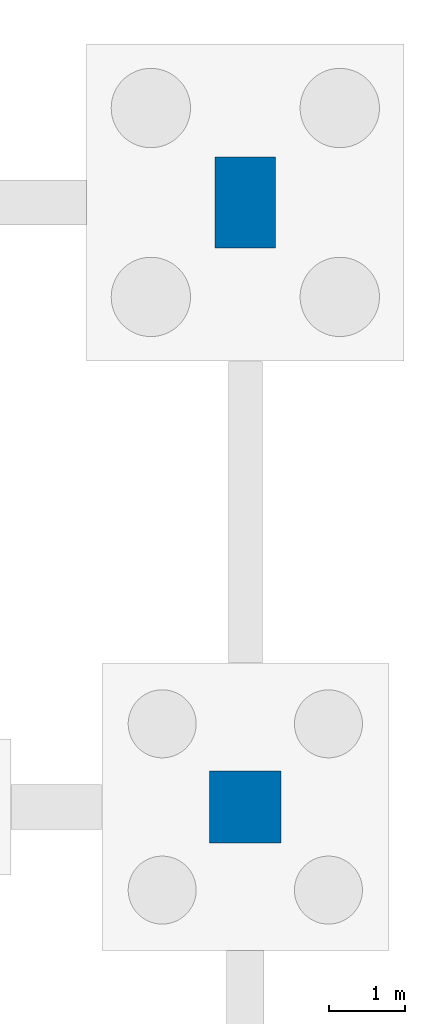
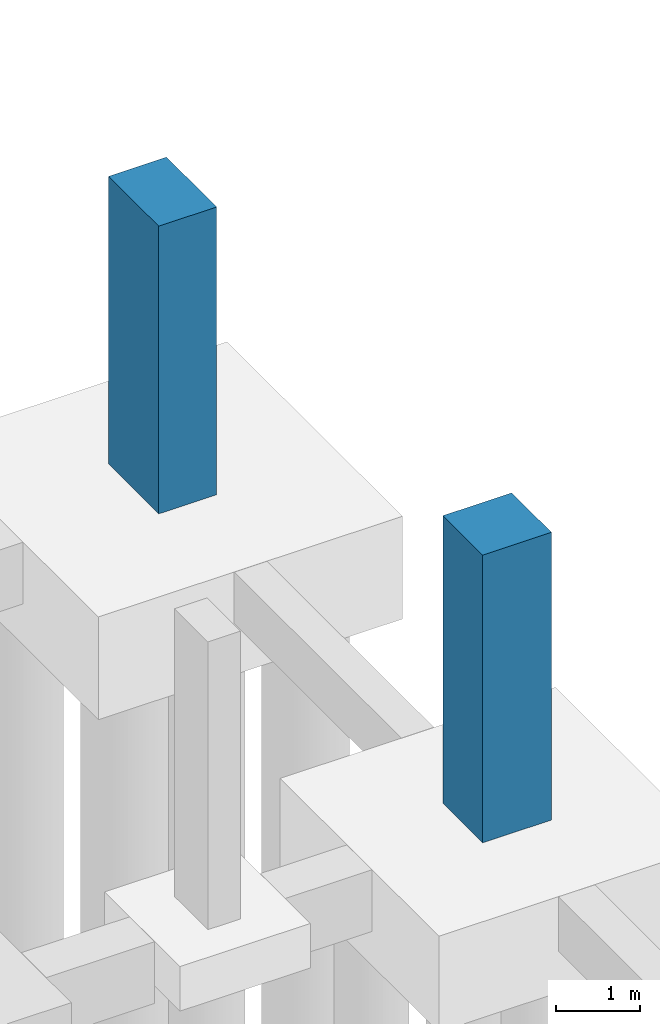
# One storey, part 19 of 32: 2 columns.
"""IFC4 building model written with IfcOpenShell, lengths in metres."""

from ifc_helpers import new_model, si_unit, direction, frame, origin, origin_2d, place, context, subcontext, project, spatial, rectangle, extrude, material, material_profile, profile_set, type_object, element, save


model = new_model("IFC4")

# Units and contexts
model_context = context("Model", 3, precision=1e-05, world=origin(), true_north=direction((0.0, 1.0)))
body_context = subcontext(model_context, "Body", "Model", "MODEL_VIEW")
ifc_project = project(units=[si_unit("LENGTHUNIT", "METRE"), si_unit("AREAUNIT", "SQUARE_METRE"), si_unit("VOLUMEUNIT", "CUBIC_METRE"), si_unit("PLANEANGLEUNIT", "RADIAN"), si_unit("MASSUNIT", "GRAM", prefix="KILO")], contexts=[model_context])

# Site, building, storey
site_placement = place(None, origin())
site = spatial("IfcSite", under=ifc_project, at=site_placement, CompositionType="ELEMENT")
building_placement = place(site_placement, origin())
building = spatial("IfcBuilding", under=site, at=building_placement, Name="Tenunan Teduh Sports Hall", CompositionType="ELEMENT")
storey_placement = place(building_placement, frame((0.0, 0.0, -4.199951171875)))
storey = spatial("IfcBuildingStorey", under=building, at=storey_placement, Name="B1", CompositionType="ELEMENT", Elevation=-4.199951171875)

# Columns
ifc_material_1 = material(Name="Concrete C40/50", Category="concrete")
ifc_material_profile_1 = material_profile(ifc_material_1, rectangle(XDim=0.800048828125, YDim=1.199951171875, at=origin_2d()), Name="RC 800x1200")
ifc_profile_set_1 = profile_set([ifc_material_profile_1], Name="Concrete C40/50")
column_type_1 = type_object("IfcColumnType", Name="COL-RC-800x1200", PredefinedType="COLUMN", material=ifc_profile_set_1)
column_1_placement = place(storey_placement, frame((170.0, 46.0, 0.0), z_axis=(0.0, 0.0, 1.0), x_axis=(1.0, 0.0, 0.0)))
element("IfcColumn", 1, at=column_1_placement, inside=storey, type_object=column_type_1, Name="COL-C-14-B1-225", PredefinedType="COLUMN", context=body_context, shape_type="SweptSolid", body=[
    extrude(rectangle(XDim=0.800048828125, YDim=1.199951171875, at=origin_2d()), origin(), (0.0, 0.0, 1.0), 4.199951171875),
])
ifc_material_2 = material(Name="Concrete C40/50", Category="concrete")
ifc_material_profile_2 = material_profile(ifc_material_2, rectangle(XDim=0.949951171875, YDim=0.949951171875, at=origin_2d()), Name="RC 950x950")
ifc_profile_set_2 = profile_set([ifc_material_profile_2], Name="Concrete C40/50")
column_type_2 = type_object("IfcColumnType", Name="COL-RC-950", PredefinedType="COLUMN", material=ifc_profile_set_2)
column_2_placement = place(storey_placement, frame((170.0, 38.0, 0.0), z_axis=(0.0, 0.0, 1.0), x_axis=(1.0, 0.0, 0.0)))
element("IfcColumn", 2, at=column_2_placement, inside=storey, type_object=column_type_2, Name="COL-C-02-B1-224", PredefinedType="COLUMN", context=body_context, shape_type="SweptSolid", body=[
    extrude(rectangle(XDim=0.949951171875, YDim=0.949951171875, at=origin_2d()), origin(), (0.0, 0.0, 1.0), 4.199951171875),
])

save(model, "model.ifc")
